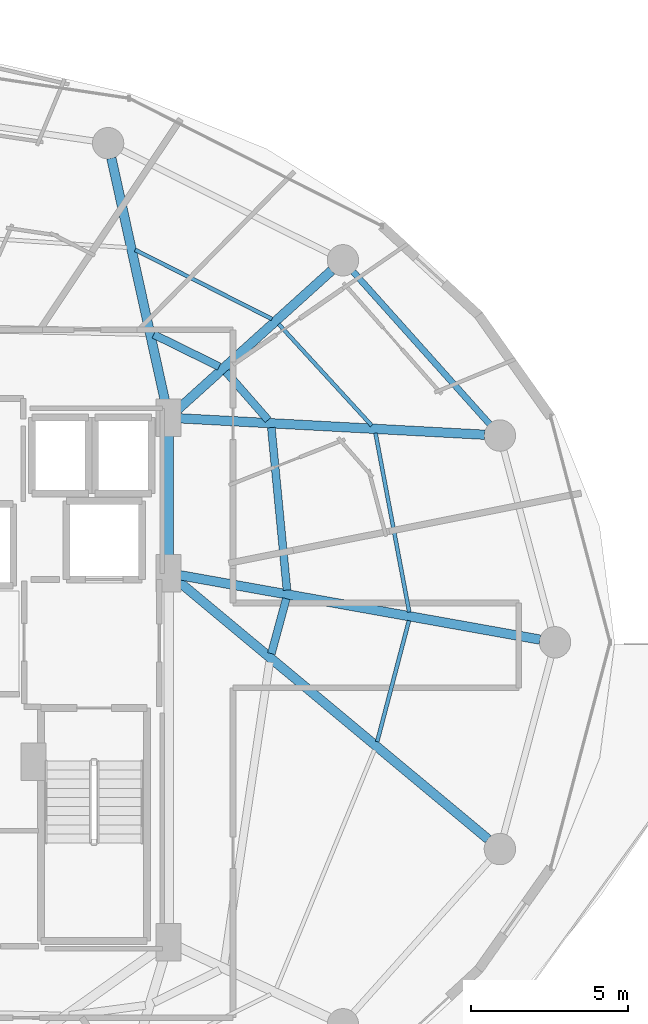
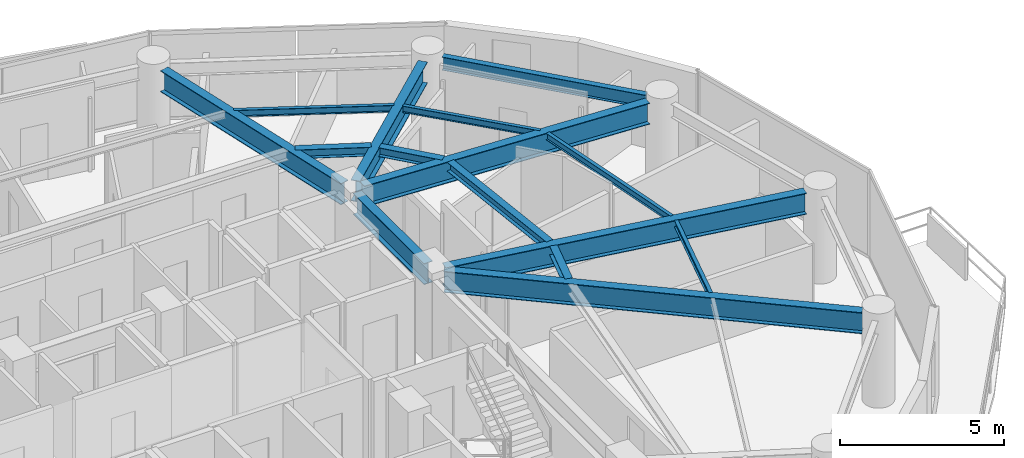
# One storey, part 14 of 30: 15 beams.
"""IFC4 building model written with IfcOpenShell, lengths in metres."""

from ifc_helpers import new_model, si_unit, direction, frame, origin, origin_2d, place, context, subcontext, project, spatial, i_section, extrude, material, material_profile, profile_set, type_object, element, save


model = new_model("IFC4")

# Units and contexts
model_context = context("Model", 3, precision=1e-05, world=origin(), true_north=direction((0.0, 1.0)))
body_context = subcontext(model_context, "Body", "Model", "MODEL_VIEW")
ifc_project = project(units=[si_unit("LENGTHUNIT", "METRE"), si_unit("AREAUNIT", "SQUARE_METRE"), si_unit("VOLUMEUNIT", "CUBIC_METRE"), si_unit("PLANEANGLEUNIT", "RADIAN"), si_unit("MASSUNIT", "GRAM", prefix="KILO")], contexts=[model_context])

# Site, building, storey
site_placement = place(None, origin())
site = spatial("IfcSite", under=ifc_project, at=site_placement, CompositionType="ELEMENT")
building_placement = place(site_placement, origin())
building = spatial("IfcBuilding", under=site, at=building_placement, Name="Vorneva Point Tower", CompositionType="ELEMENT")
storey_placement = place(building_placement, frame((0.0, 0.0, 157.10009765625)))
storey = spatial("IfcBuildingStorey", under=building, at=storey_placement, Name="L42", CompositionType="ELEMENT", Elevation=157.10009765625)

# Beams
ifc_material = material(Name="Steel S355", Category="steel")
ifc_material_profile_1 = material_profile(ifc_material, i_section(OverallWidth=0.300048828125, OverallDepth=0.7880859375, WebThickness=0.014404296875, FlangeThickness=0.02197265625, at=origin_2d()), Name="80Sh1")
ifc_profile_set_1 = profile_set([ifc_material_profile_1], Name="Steel S355")
beam_type_1 = type_object("IfcBeamType", Name="BM-GRD-80Sh1", PredefinedType="USERDEFINED", material=ifc_profile_set_1)
beam_1_placement = place(storey_placement, frame((60.569580078125, 26.0859375, 2.845947265625), z_axis=(-0.984378132756, 0.176067293249, 0.0), x_axis=(-0.176067293249, -0.984378132756, 0.0)))
element("IfcBeam", 1, at=beam_1_placement, inside=storey, type_object=beam_type_1, Name="L42 Radial Primary Girder 01", ObjectType="GIRDER", PredefinedType="USERDEFINED", context=body_context, shape_type="SweptSolid", body=[
    extrude(i_section(OverallWidth=0.300048828125, OverallDepth=0.7880859375, WebThickness=0.014404296875, FlangeThickness=0.02197265625, at=origin_2d()), origin(), (0.0, 0.0, 1.0), 11.667236328125),
])
beam_2_placement = place(storey_placement, frame((58.80810546875, 32.6083984375, 2.845947265625), z_axis=(-0.998554051908, 0.053756910424, 0.0), x_axis=(-0.053756910424, -0.998554051908, 0.0)))
element("IfcBeam", 2, at=beam_2_placement, inside=storey, type_object=beam_type_1, Name="L42 Radial Primary Girder 02", ObjectType="GIRDER", PredefinedType="USERDEFINED", context=body_context, shape_type="SweptSolid", body=[
    extrude(i_section(OverallWidth=0.300048828125, OverallDepth=0.7880859375, WebThickness=0.014404296875, FlangeThickness=0.02197265625, at=origin_2d()), origin(), (0.0, 0.0, 1.0), 9.732666015625),
])
beam_3_placement = place(storey_placement, frame((53.936767578125, 37.835205078125, 2.845947265625), z_axis=(-0.742084379637, -0.670306477292, 0.0), x_axis=(0.670306477292, -0.742084379637, 0.0)))
element("IfcBeam", 3, at=beam_3_placement, inside=storey, type_object=beam_type_1, Name="L42 Radial Primary Girder 03", ObjectType="GIRDER", PredefinedType="USERDEFINED", context=body_context, shape_type="SweptSolid", body=[
    extrude(i_section(OverallWidth=0.300048828125, OverallDepth=0.7880859375, WebThickness=0.014404296875, FlangeThickness=0.02197265625, at=origin_2d()), origin(), (0.0, 0.0, 1.0), 6.649658203125),
])
beam_4_placement = place(storey_placement, frame((46.926025390625, 41.414306640625, 2.845947265625), z_axis=(0.215520500859, -0.976499315775, 0.0), x_axis=(0.976499315775, 0.215520500859, 0.0)))
element("IfcBeam", 4, at=beam_4_placement, inside=storey, type_object=beam_type_1, Name="L42 Radial Primary Girder 04", ObjectType="GIRDER", PredefinedType="USERDEFINED", context=body_context, shape_type="SweptSolid", body=[
    extrude(i_section(OverallWidth=0.300048828125, OverallDepth=0.7880859375, WebThickness=0.014404296875, FlangeThickness=0.02197265625, at=origin_2d()), origin(), (0.0, 0.0, 1.0), 8.123291015625),
])
beam_5_placement = place(storey_placement, frame((58.92041015625, 19.72998046875, 2.845947265625), z_axis=(-0.76841987547, 0.639946009428, 0.0), x_axis=(-0.639946009428, -0.76841987547, 0.0)))
element("IfcBeam", 5, at=beam_5_placement, inside=storey, type_object=beam_type_1, Name="L42 Radial Primary Girder 16", ObjectType="GIRDER", PredefinedType="USERDEFINED", context=body_context, shape_type="SweptSolid", body=[
    extrude(i_section(OverallWidth=0.300048828125, OverallDepth=0.7880859375, WebThickness=0.014404296875, FlangeThickness=0.02197265625, at=origin_2d()), origin(), (0.0, 0.0, 1.0), 12.8955078125),
])
beam_6_placement = place(storey_placement, frame((48.75, 28.52001953125, 2.845947265625), z_axis=(0.0, 1.0, 0.0), x_axis=(-1.0, 0.0, 0.0)))
element("IfcBeam", 6, at=beam_6_placement, inside=storey, type_object=beam_type_1, Name="L42 Core Tie Girder CT4", ObjectType="GIRDER", PredefinedType="USERDEFINED", context=body_context, shape_type="SweptSolid", body=[
    extrude(i_section(OverallWidth=0.300048828125, OverallDepth=0.7880859375, WebThickness=0.014404296875, FlangeThickness=0.02197265625, at=origin_2d()), origin(), (0.0, 0.0, 1.0), 4.31005859375),
])
ifc_material_profile_2 = material_profile(ifc_material, i_section(OverallWidth=0.1240234375, OverallDepth=0.248046875, WebThickness=0.0048828125, FlangeThickness=0.008056640625, at=origin_2d()), Name="25B1")
ifc_profile_set_2 = profile_set([ifc_material_profile_2], Name="Steel S355")
beam_type_2 = type_object("IfcBeamType", Name="BM-JST-25B1", PredefinedType="JOIST", material=ifc_profile_set_2)
beam_7_placement = place(storey_placement, frame((56.409423828125, 26.9609375, 3.115966796875), z_axis=(-0.185233785123, 0.982694481947, 0.0), x_axis=(-0.982694481947, -0.185233785123, 0.0)))
element("IfcBeam", 7, at=beam_7_placement, inside=storey, type_object=beam_type_2, Name="L42 Secondary Floor Beam 1.01", PredefinedType="JOIST", context=body_context, shape_type="SweptSolid", body=[
    extrude(i_section(OverallWidth=0.1240234375, OverallDepth=0.248046875, WebThickness=0.0048828125, FlangeThickness=0.008056640625, at=origin_2d()), origin(), (0.0, 0.0, 1.0), 5.800537109375),
])
beam_8_placement = place(storey_placement, frame((55.216064453125, 32.8984375, 3.115966796875), z_axis=(-0.675865863336, 0.737024650047, 0.0), x_axis=(-0.737024650047, -0.675865863336, 0.0)))
element("IfcBeam", 8, at=beam_8_placement, inside=storey, type_object=beam_type_2, Name="L42 Secondary Floor Beam 1.02", PredefinedType="JOIST", context=body_context, shape_type="SweptSolid", body=[
    extrude(i_section(OverallWidth=0.1240234375, OverallDepth=0.248046875, WebThickness=0.0048828125, FlangeThickness=0.008056640625, at=origin_2d()), origin(), (0.0, 0.0, 1.0), 4.383056640625),
])
beam_9_placement = place(storey_placement, frame((52.037109375, 36.292724609375, 3.115966796875), z_axis=(-0.892388118376, 0.451268707292, 0.0), x_axis=(-0.451268707292, -0.892388118376, 0.0)))
element("IfcBeam", 9, at=beam_9_placement, inside=storey, type_object=beam_type_2, Name="L42 Secondary Floor Beam 1.03", PredefinedType="JOIST", context=body_context, shape_type="SweptSolid", body=[
    extrude(i_section(OverallWidth=0.1240234375, OverallDepth=0.248046875, WebThickness=0.0048828125, FlangeThickness=0.008056640625, at=origin_2d()), origin(), (0.0, 0.0, 1.0), 4.883056640625),
])
beam_10_placement = place(storey_placement, frame((55.38818359375, 22.83447265625, 3.115966796875), z_axis=(0.253697664148, 0.967283565045, 0.0), x_axis=(-0.967283565045, 0.253697664148, 0.0)))
element("IfcBeam", 10, at=beam_10_placement, inside=storey, type_object=beam_type_2, Name="L42 Secondary Floor Beam 1.16", PredefinedType="JOIST", context=body_context, shape_type="SweptSolid", body=[
    extrude(i_section(OverallWidth=0.1240234375, OverallDepth=0.248046875, WebThickness=0.0048828125, FlangeThickness=0.008056640625, at=origin_2d()), origin(), (0.0, 0.0, 1.0), 3.98779296875),
])
ifc_material_profile_3 = material_profile(ifc_material, i_section(OverallWidth=0.2490234375, OverallDepth=0.333984375, WebThickness=0.008056640625, FlangeThickness=0.010986328125, at=origin_2d()), Name="35Sh1")
ifc_profile_set_3 = profile_set([ifc_material_profile_3], Name="Steel S355")
beam_type_3 = type_object("IfcBeamType", Name="BM-SEC-35Sh1", PredefinedType="BEAM", material=ifc_profile_set_3)
beam_11_placement = place(storey_placement, frame((52.516845703125, 27.6611328125, 3.072998046875), z_axis=(-0.095868061976, 0.995394049959, 0.0), x_axis=(-0.995394049959, -0.095868061976, 0.0)))
element("IfcBeam", 11, at=beam_11_placement, inside=storey, type_object=beam_type_3, Name="L42 Secondary Floor Beam 2.01", PredefinedType="BEAM", context=body_context, shape_type="SweptSolid", body=[
    extrude(i_section(OverallWidth=0.2490234375, OverallDepth=0.333984375, WebThickness=0.008056640625, FlangeThickness=0.010986328125, at=origin_2d()), origin(), (0.0, 0.0, 1.0), 5.2001953125),
])
beam_12_placement = place(storey_placement, frame((51.914306640625, 33.07861328125, 3.072998046875), z_axis=(-0.658479142456, 0.752598976182, 0.0), x_axis=(-0.752598976182, -0.658479142456, 0.0)))
element("IfcBeam", 12, at=beam_12_placement, inside=storey, type_object=beam_type_3, Name="L42 Secondary Floor Beam 2.02", PredefinedType="BEAM", context=body_context, shape_type="SweptSolid", body=[
    extrude(i_section(OverallWidth=0.2490234375, OverallDepth=0.333984375, WebThickness=0.008056640625, FlangeThickness=0.010986328125, at=origin_2d()), origin(), (0.0, 0.0, 1.0), 2.0361328125),
])
beam_13_placement = place(storey_placement, frame((50.35888671875, 34.77587890625, 3.072998046875), z_axis=(-0.897310370884, 0.441400156664, 0.0), x_axis=(-0.441400156664, -0.897310370884, 0.0)))
element("IfcBeam", 13, at=beam_13_placement, inside=storey, type_object=beam_type_3, Name="L42 Secondary Floor Beam 2.03", PredefinedType="BEAM", context=body_context, shape_type="SweptSolid", body=[
    extrude(i_section(OverallWidth=0.2490234375, OverallDepth=0.333984375, WebThickness=0.008056640625, FlangeThickness=0.010986328125, at=origin_2d()), origin(), (0.0, 0.0, 1.0), 2.322021484375),
])
beam_14_placement = place(storey_placement, frame((52.02001953125, 25.639892578125, 3.072998046875), z_axis=(0.261397187655, 0.965231324754, 0.0), x_axis=(-0.965231324754, 0.261397187655, 0.0)))
element("IfcBeam", 14, at=beam_14_placement, inside=storey, type_object=beam_type_3, Name="L42 Secondary Floor Beam 2.16", PredefinedType="BEAM", context=body_context, shape_type="SweptSolid", body=[
    extrude(i_section(OverallWidth=0.2490234375, OverallDepth=0.333984375, WebThickness=0.008056640625, FlangeThickness=0.010986328125, at=origin_2d()), origin(), (0.0, 0.0, 1.0), 1.813720703125),
])
ifc_material_profile_4 = material_profile(ifc_material, i_section(OverallWidth=0.199951171875, OverallDepth=0.491943359375, WebThickness=0.0087890625, FlangeThickness=0.011962890625, at=origin_2d()), Name="50B1")
ifc_profile_set_4 = profile_set([ifc_material_profile_4], Name="Steel S355")
beam_type_4 = type_object("IfcBeamType", Name="BM-SPN-50B1", PredefinedType="SPANDREL", material=ifc_profile_set_4)
beam_15_placement = place(storey_placement, frame((58.971923828125, 32.943603515625, 2.993896484375), z_axis=(-0.667111118975, 0.74495822362, 0.0), x_axis=(-0.74495822362, -0.667111118975, 0.0)))
element("IfcBeam", 15, at=beam_15_placement, inside=storey, type_object=beam_type_4, Name="L42 Perimeter Spandrel Ring Beam 02", PredefinedType="SPANDREL", context=body_context, shape_type="SweptSolid", body=[
    extrude(i_section(OverallWidth=0.199951171875, OverallDepth=0.491943359375, WebThickness=0.0087890625, FlangeThickness=0.011962890625, at=origin_2d()), origin(), (0.0, 0.0, 1.0), 6.52001953125),
])

save(model, "model.ifc")
